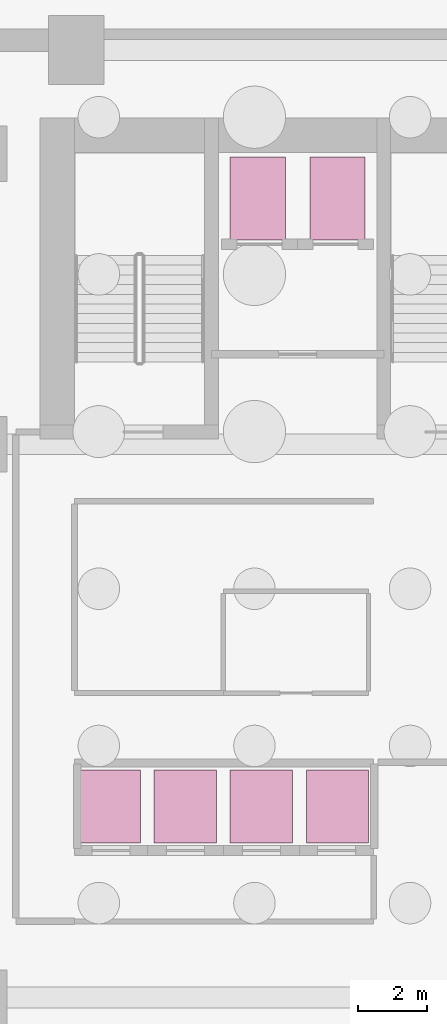
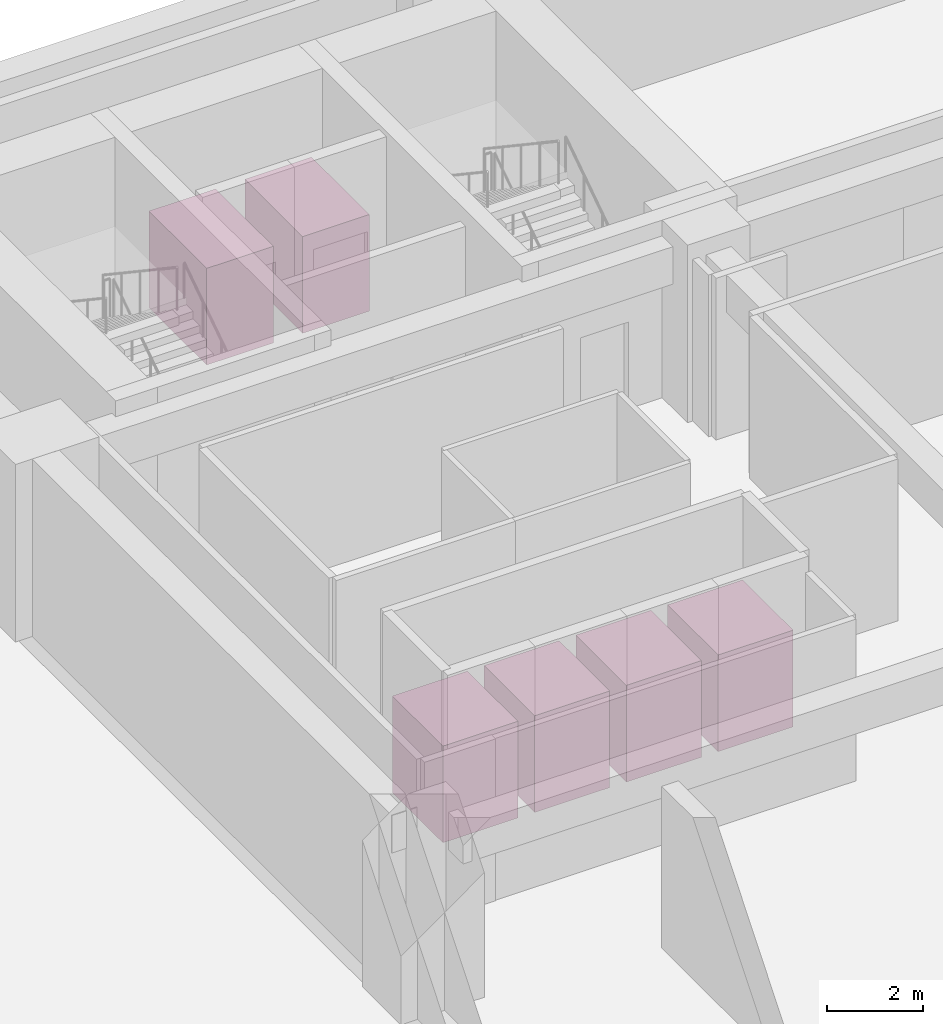
# One storey, part 8 of 8: 6 transport elements.
"""IFC4 building model written with IfcOpenShell, lengths in metres."""

from ifc_helpers import new_model, si_unit, direction, frame, origin, origin_2d, place, context, subcontext, project, spatial, rectangle, extrude, material, type_object, element, save


model = new_model("IFC4")

# Units and contexts
model_context = context("Model", 3, precision=1e-05, world=origin(), true_north=direction((0.0, 1.0)))
body_context = subcontext(model_context, "Body", "Model", "MODEL_VIEW")
ifc_project = project(units=[si_unit("LENGTHUNIT", "METRE"), si_unit("AREAUNIT", "SQUARE_METRE"), si_unit("VOLUMEUNIT", "CUBIC_METRE"), si_unit("PLANEANGLEUNIT", "RADIAN"), si_unit("MASSUNIT", "GRAM", prefix="KILO")], contexts=[model_context])

# Site, building, storey
site_placement = place(None, origin())
site = spatial("IfcSite", under=ifc_project, at=site_placement, CompositionType="ELEMENT")
building_placement = place(site_placement, origin())
building = spatial("IfcBuilding", under=site, at=building_placement, Name="Sulina Concourse Tower", CompositionType="ELEMENT")
storey_placement = place(building_placement, frame((0.0, 0.0, -9.0)))
storey = spatial("IfcBuildingStorey", under=building, at=storey_placement, Name="B2", CompositionType="ELEMENT", Elevation=-9.0)

# Transport elements
ifc_material_1 = material(Name="Stainless steel lift car", Category="steel")
transport_element_type_1 = type_object("IfcTransportElementType", Name="Firefighting & Stretcher Emergency Lift Car", PredefinedType="ELEVATOR", material=ifc_material_1)
for number, where, z_axis, x_axis, name in (
    (1, (8.85009765625, 41.10009765625, 0.0), (0.0, 0.0, 1.0), (1.0, 0.0, 0.0), "Elevator FFL-1"),
    (2, (11.14990234375, 41.10009765625, 0.0), (0.0, 0.0, 1.0), (1.0, 0.0, 0.0), "Elevator FFL-2"),
):
    element("IfcTransportElement", number, at=place(storey_placement, frame(where, z_axis=z_axis, x_axis=x_axis)), inside=storey, type_object=transport_element_type_1, Name=name, PredefinedType="ELEVATOR", context=body_context, shape_type="SweptSolid", body=[
        extrude(rectangle(XDim=1.60009765625, YDim=2.39990234375, at=origin_2d()), origin(), (0.0, 0.0, 1.0), 2.449951171875),
    ])
ifc_material_2 = material(Name="Stainless steel lift car", Category="steel")
transport_element_type_2 = type_object("IfcTransportElementType", Name="High-Speed Passenger Gearless Lift Car", PredefinedType="ELEVATOR", material=ifc_material_2)
for number, where, z_axis, x_axis, name in (
    (3, (4.550048828125, 23.52001953125, 0.0), (0.0, 0.0, 1.0), (1.0, 0.0, 0.0), "Elevator LP-01"),
    (4, (6.75, 23.52001953125, 0.0), (0.0, 0.0, 1.0), (1.0, 0.0, 0.0), "Elevator LP-02"),
    (5, (8.949951171875, 23.52001953125, 0.0), (0.0, 0.0, 1.0), (1.0, 0.0, 0.0), "Elevator LP-03"),
    (6, (11.14990234375, 23.52001953125, 0.0), (0.0, 0.0, 1.0), (1.0, 0.0, 0.0), "Elevator LP-04"),
):
    element("IfcTransportElement", number, at=place(storey_placement, frame(where, z_axis=z_axis, x_axis=x_axis)), inside=storey, type_object=transport_element_type_2, Name=name, PredefinedType="ELEVATOR", context=body_context, shape_type="SweptSolid", body=[
        extrude(rectangle(XDim=1.800048828125, YDim=2.10009765625, at=origin_2d()), origin(), (0.0, 0.0, 1.0), 2.449951171875),
    ])

save(model, "model.ifc")
